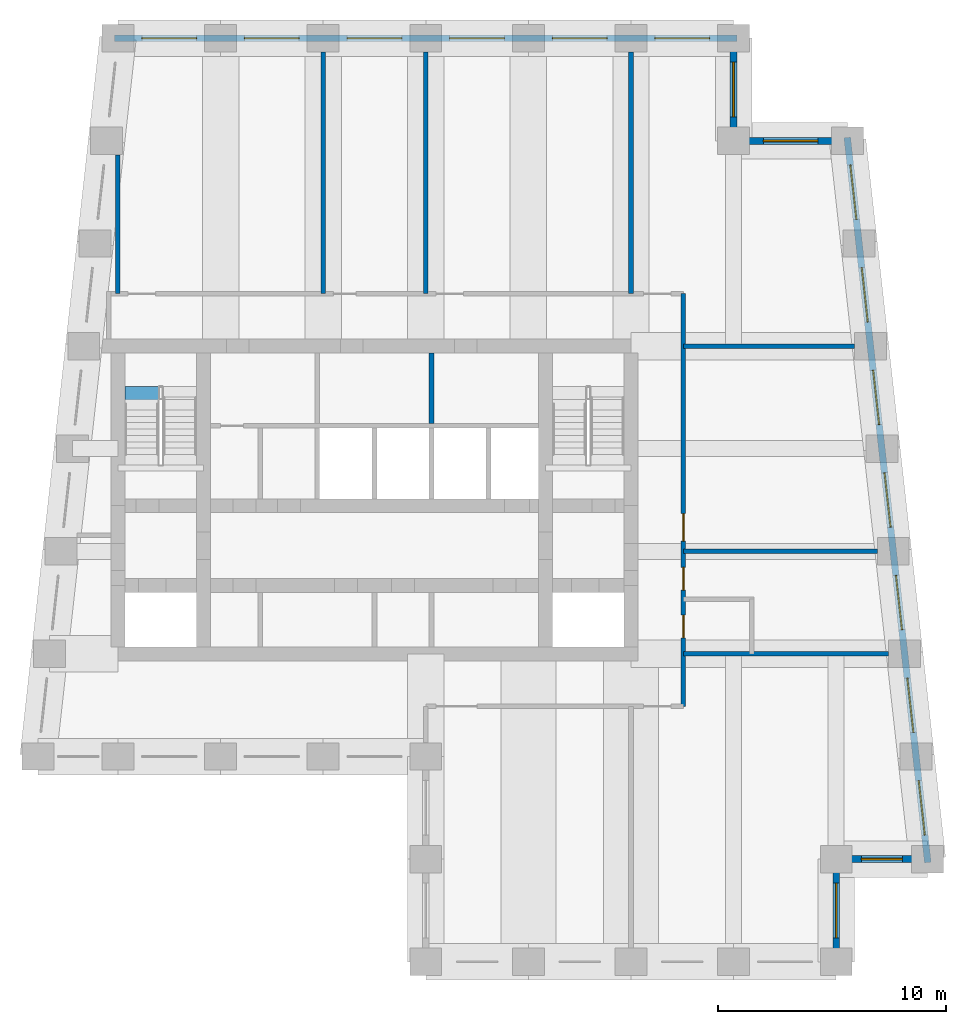
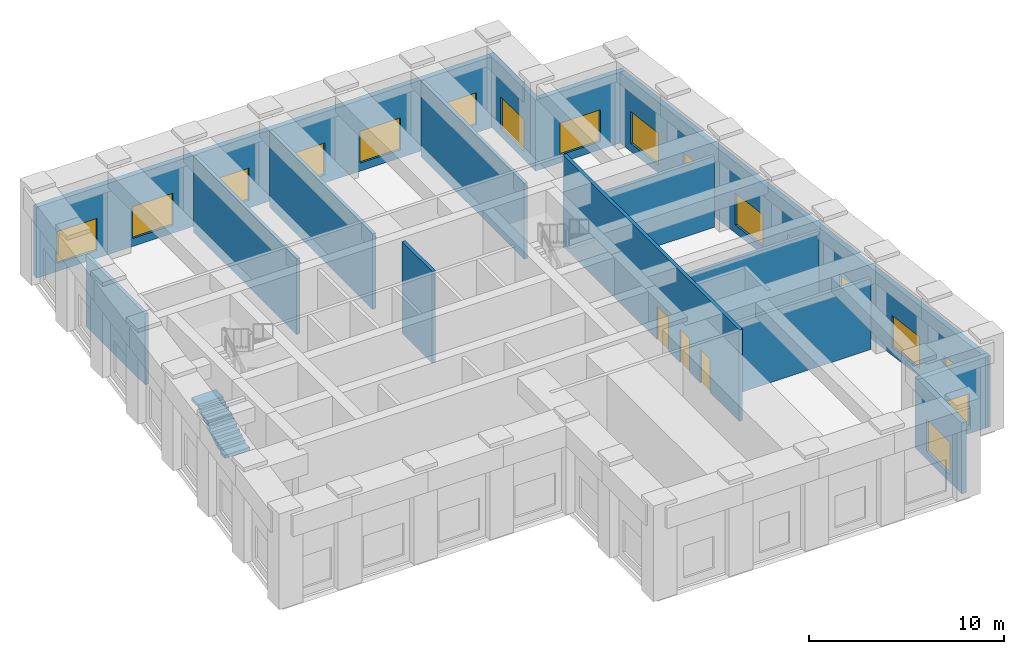
# One storey, part 4 of 7: 17 windows, 15 walls, 3 doors, 1 stair flight, 20 openings, 1 element without a shape of its own.
"""IFC4 building model written with IfcOpenShell, lengths in metres."""

from ifc_helpers import new_model, si_unit, direction, frame, frame_2d, origin, place, context, subcontext, project, spatial, polyline, rectangle, outline, extrude, material, layer, layer_set, type_object, element, fill, aggregate, save


model = new_model("IFC4")

# Units and contexts
model_context = context("Model", 3, precision=1e-05, world=origin(), true_north=direction((0.0, 1.0)))
body_context = subcontext(model_context, "Body", "Model", "MODEL_VIEW")
ifc_project = project(units=[si_unit("LENGTHUNIT", "METRE"), si_unit("AREAUNIT", "SQUARE_METRE"), si_unit("VOLUMEUNIT", "CUBIC_METRE"), si_unit("PLANEANGLEUNIT", "RADIAN"), si_unit("MASSUNIT", "GRAM", prefix="KILO")], contexts=[model_context])

# Site, building, storey
site_placement = place(None, origin())
site = spatial("IfcSite", under=ifc_project, at=site_placement, CompositionType="ELEMENT")
building_placement = place(site_placement, origin())
building = spatial("IfcBuilding", under=site, at=building_placement, Name="Kilele Tower Hotel", CompositionType="ELEMENT")
storey_placement = place(building_placement, frame((0.0, 0.0, 244.699951171875)))
storey = spatial("IfcBuildingStorey", under=building, at=storey_placement, Name="L63", CompositionType="ELEMENT", Elevation=244.699951171875)

# Wall, openings, doors
ifc_material_1 = material(Name="Blockwork, plastered both sides", Category="masonry")
ifc_layer_1 = layer(ifc_material_1, 0.199951171875)
ifc_layer_set_1 = layer_set([ifc_layer_1], Name="Blockwork, plastered both sides")
wall_type_1 = type_object("IfcWallType", Name="Corridor wall 200", PredefinedType="PARTITIONING", material=ifc_layer_set_1)
wall_1_placement = place(storey_placement, frame((38.300048828125, 11.199951171875, 0.0), z_axis=(0.0, 0.0, 1.0), x_axis=(0.0, 1.0, 0.0)))
wall_1 = element("IfcWall", 1, at=wall_1_placement, inside=storey, type_object=wall_type_1, Name="Corridor wall 200 L63", PredefinedType="PARTITIONING", context=body_context, shape_type="SweptSolid", body=[
    extrude(rectangle(XDim=18.10009765625, YDim=0.199951171875, at=frame_2d((9.050048828125, 0.0))), origin(), (0.0, 0.0, 1.0), 5.75),
])
opening_1_placement = place(wall_1_placement, frame((4.0, 0.0, 0.0), z_axis=(0.0, 0.0, 1.0), x_axis=(-1.0, 0.0, 0.0)))
opening_1 = element("IfcOpeningElement", 2, at=opening_1_placement, cuts=wall_1, Name="Opening D8", PredefinedType="OPENING", context=body_context, shape_type="SweptSolid", body=[
    extrude(rectangle(XDim=1.0, YDim=2.10009765625, at=frame_2d((0.5, 1.050048828125))), frame((0.0, 0.10986328125, 0.0), z_axis=(0.0, -1.0, 0.0), x_axis=(1.0, 0.0, 0.0)), (0.0, 0.0, 1.0), 0.219970703125),
])
opening_2_placement = place(wall_1_placement, frame((6.10009765625, 0.0, 0.0), z_axis=(0.0, 0.0, 1.0), x_axis=(-1.0, 0.0, 0.0)))
opening_2 = element("IfcOpeningElement", 3, at=opening_2_placement, cuts=wall_1, Name="Opening D8", PredefinedType="OPENING", context=body_context, shape_type="SweptSolid", body=[
    extrude(rectangle(XDim=1.0, YDim=2.10009765625, at=frame_2d((0.5, 1.050048828125))), frame((0.0, 0.10986328125, 0.0), z_axis=(0.0, -1.0, 0.0), x_axis=(1.0, 0.0, 0.0)), (0.0, 0.0, 1.0), 0.219970703125),
])
opening_3_placement = place(wall_1_placement, frame((8.449951171875, 0.0, 0.0), z_axis=(0.0, 0.0, 1.0), x_axis=(-1.0, 0.0, 0.0)))
opening_3 = element("IfcOpeningElement", 4, at=opening_3_placement, cuts=wall_1, Name="Opening D7A", PredefinedType="OPENING", context=body_context, shape_type="SweptSolid", body=[
    extrude(rectangle(XDim=1.199951171875, YDim=2.10009765625, at=frame_2d((0.60009765625, 1.050048828125))), frame((0.0, 0.10986328125, 0.0), z_axis=(0.0, -1.0, 0.0), x_axis=(1.0, 0.0, 0.0)), (0.0, 0.0, 1.0), 0.219970703125),
])
ifc_material_2 = material(Name="Timber door leaf in hardwood frame", Category="wood")
door_type_1 = type_object("IfcDoorType", Name="Door 1000", OperationType="SINGLE_SWING_LEFT", PredefinedType="DOOR", material=ifc_material_2)
door_1_placement = place(opening_1_placement, origin())
door_1 = element("IfcDoor", 5, at=door_1_placement, inside=storey, type_object=door_type_1, Name="Door Accessible WC 6302", OperationType="SINGLE_SWING_RIGHT", OverallHeight=2.10009765625, OverallWidth=1.0, PredefinedType="DOOR", context=body_context, shape_type="SweptSolid", body=[
    extrude(rectangle(XDim=1.0, YDim=2.10009765625, at=frame_2d((0.5, 1.050048828125))), frame((0.0, 0.02490234375, 0.0), z_axis=(0.0, -1.0, 0.0), x_axis=(1.0, 0.0, 0.0)), (0.0, 0.0, 1.0), 0.050048828125),
])
fill(opening_1, door_1)
door_2_placement = place(opening_2_placement, origin())
door_2 = element("IfcDoor", 6, at=door_2_placement, inside=storey, type_object=door_type_1, Name="Door Plant store 6303", OperationType="SINGLE_SWING_RIGHT", OverallHeight=2.10009765625, OverallWidth=1.0, PredefinedType="DOOR", context=body_context, shape_type="SweptSolid", body=[
    extrude(rectangle(XDim=1.0, YDim=2.10009765625, at=frame_2d((0.5, 1.050048828125))), frame((0.0, 0.02490234375, 0.0), z_axis=(0.0, -1.0, 0.0), x_axis=(1.0, 0.0, 0.0)), (0.0, 0.0, 1.0), 0.050048828125),
])
fill(opening_2, door_2)
ifc_material_3 = material(Name="Timber door leaf in hardwood frame", Category="wood")
door_type_2 = type_object("IfcDoorType", Name="Plant room door 1200", OperationType="SINGLE_SWING_LEFT", PredefinedType="DOOR", material=ifc_material_3)
door_3_placement = place(opening_3_placement, origin())
door_3 = element("IfcDoor", 7, at=door_3_placement, inside=storey, type_object=door_type_2, Name="Door Kitchen extract fan room 6304", OperationType="SINGLE_SWING_RIGHT", OverallHeight=2.10009765625, OverallWidth=1.199951171875, PredefinedType="DOOR", context=body_context, shape_type="SweptSolid", body=[
    extrude(rectangle(XDim=1.199951171875, YDim=2.10009765625, at=frame_2d((0.60009765625, 1.050048828125))), frame((0.0, 0.02490234375, 0.0), z_axis=(0.0, -1.0, 0.0), x_axis=(1.0, 0.0, 0.0)), (0.0, 0.0, 1.0), 0.050048828125),
])
fill(opening_3, door_3)

# Walls
ifc_material_4 = material(Name="Blockwork, plastered both sides", Category="masonry")
ifc_layer_2 = layer(ifc_material_4, 0.199951171875)
ifc_layer_set_2 = layer_set([ifc_layer_2], Name="Blockwork, plastered both sides")
wall_type_2 = type_object("IfcWallType", Name="Partition wall 200", PredefinedType="PARTITIONING", material=ifc_layer_set_2)
wall_2_placement = place(storey_placement, frame((38.300048828125, 13.5, 0.0), z_axis=(0.0, 0.0, 1.0), x_axis=(1.0, 0.0, 0.0)))
element("IfcWall", 8, at=wall_2_placement, inside=storey, type_object=wall_type_2, Name="Partition wall 200 L63", PredefinedType="PARTITIONING", context=body_context, shape_type="SweptSolid", body=[
    extrude(rectangle(XDim=8.9990234375, YDim=0.199951171875, at=frame_2d((4.49951171875, 0.0))), origin(), (0.0, 0.0, 1.0), 4.449951171875),
])
wall_3_placement = place(storey_placement, frame((38.300048828125, 18.0, 0.0), z_axis=(0.0, 0.0, 1.0), x_axis=(1.0, 0.0, 0.0)))
element("IfcWall", 9, at=wall_3_placement, inside=storey, type_object=wall_type_2, Name="Partition wall 200 L63", PredefinedType="PARTITIONING", context=body_context, shape_type="SweptSolid", body=[
    extrude(rectangle(XDim=8.4990234375, YDim=0.199951171875, at=frame_2d((4.24951171875, 0.0))), origin(), (0.0, 0.0, 1.0), 4.85009765625),
])
wall_4_placement = place(storey_placement, frame((38.300048828125, 27.0, 0.0), z_axis=(0.0, 0.0, 1.0), x_axis=(1.0, 0.0, 0.0)))
element("IfcWall", 10, at=wall_4_placement, inside=storey, type_object=wall_type_2, Name="Partition wall 200 L63", PredefinedType="PARTITIONING", context=body_context, shape_type="SweptSolid", body=[
    extrude(rectangle(XDim=7.4990234375, YDim=0.199951171875, at=frame_2d((3.74951171875, 0.0))), origin(), (0.0, 0.0, 1.0), 4.449951171875),
])
wall_5_placement = place(storey_placement, frame((13.5, 29.300048828125, 0.0), z_axis=(0.0, 0.0, 1.0), x_axis=(0.0, 1.0, 0.0)))
element("IfcWall", 11, at=wall_5_placement, inside=storey, type_object=wall_type_2, Name="Partition wall 200 L63", PredefinedType="PARTITIONING", context=body_context, shape_type="SweptSolid", body=[
    extrude(rectangle(XDim=6.08154296875, YDim=0.199951171875, at=frame_2d((3.040771484375, 0.0))), origin(), (0.0, 0.0, 1.0), 4.449951171875),
])
for number, where, z_axis, x_axis, name in (
    (12, (22.5, 29.300048828125, 0.0), (0.0, 0.0, 1.0), (0.0, 1.0, 0.0), "Partition wall 200 L63"),
    (13, (27.0, 29.300048828125, 0.0), (0.0, 0.0, 1.0), (0.0, 1.0, 0.0), "Partition wall 200 L63"),
    (14, (36.0, 29.300048828125, 0.0), (0.0, 0.0, 1.0), (0.0, 1.0, 0.0), "Partition wall 200 L63"),
):
    element("IfcWall", number, at=place(storey_placement, frame(where, z_axis=z_axis, x_axis=x_axis)), inside=storey, type_object=wall_type_2, Name=name, PredefinedType="PARTITIONING", context=body_context, shape_type="SweptSolid", body=[
        extrude(rectangle(XDim=10.58984375, YDim=0.199951171875, at=frame_2d((5.294921875, 0.0))), origin(), (0.0, 0.0, 1.0), 4.75),
    ])

# Wall, opening, window
ifc_material_5 = material(Name="Concrete C40/50 precast", Category="concrete")
ifc_layer_3 = layer(ifc_material_5, 0.260009765625, Name="Precast backing", Category="LoadBearing")
ifc_material_6 = material(Name="Reconstituted stone finish", Category="masonry")
ifc_layer_4 = layer(ifc_material_6, 0.0400390625, Name="Face mix", Category="Finish")
ifc_layer_set_3 = layer_set([ifc_layer_3, ifc_layer_4], Name="Precast concrete C40/50, reconstituted stone finish")
wall_type_3 = type_object("IfcWallType", Name="Precast stone facade wall 300", PredefinedType="STANDARD", material=ifc_layer_set_3)
wall_6_placement = place(storey_placement, frame((45.0, -0.14990234375, 0.0), z_axis=(0.0, 0.0, 1.0), x_axis=(0.0, 1.0, 0.0)))
wall_6 = element("IfcWall", 15, at=wall_6_placement, inside=storey, type_object=wall_type_3, Name="Facade wall L63 edge 4", PredefinedType="STANDARD", context=body_context, shape_type="SweptSolid", body=[
    extrude(rectangle(XDim=4.7998046875, YDim=0.300048828125, at=frame_2d((2.39990234375, 0.0))), origin(), (0.0, 0.0, 1.0), 4.449951171875),
])
opening_4_placement = place(wall_6_placement, frame((1.199951171875, 0.0, 0.5)))
opening_4 = element("IfcOpeningElement", 16, at=opening_4_placement, cuts=wall_6, Name="Opening LV1", PredefinedType="OPENING", context=body_context, shape_type="SweptSolid", body=[
    extrude(rectangle(XDim=2.39990234375, YDim=2.0, at=frame_2d((1.199951171875, 1.0))), frame((0.0, 0.159912109375, 0.0), z_axis=(0.0, -1.0, 0.0), x_axis=(1.0, 0.0, 0.0)), (0.0, 0.0, 1.0), 0.320068359375),
])
ifc_material_7 = material(Name="Aluminium weather louvre with insect mesh", Category="aluminium")
window_type_1 = type_object("IfcWindowType", Name="Ventilation louvre 2400 x 2000", PartitioningType="SINGLE_PANEL", PredefinedType="USERDEFINED", material=ifc_material_7)
window_1_placement = place(opening_4_placement, origin())
window_1 = element("IfcWindow", 17, at=window_1_placement, inside=storey, type_object=window_type_1, Name="Louvre L63", ObjectType="LOUVRE", OverallHeight=2.0, OverallWidth=2.39990234375, PartitioningType="SINGLE_PANEL", PredefinedType="USERDEFINED", context=body_context, shape_type="SweptSolid", body=[
    extrude(rectangle(XDim=2.39990234375, YDim=2.0, at=frame_2d((1.199951171875, 1.0))), frame((0.0, 0.030029296875, 0.0), z_axis=(0.0, -1.0, 0.0), x_axis=(1.0, 0.0, 0.0)), (0.0, 0.0, 1.0), 0.06005859375),
])
fill(opening_4, window_1)

wall_7_placement = place(storey_placement, frame((44.85009765625, 4.5, 0.0), z_axis=(0.0, 0.0, 1.0), x_axis=(1.0, 0.0, 0.0)))
wall_7 = element("IfcWall", 18, at=wall_7_placement, inside=storey, type_object=wall_type_3, Name="Facade wall L63 edge 5", PredefinedType="STANDARD", context=body_context, shape_type="SweptSolid", body=[
    extrude(rectangle(XDim=4.2998046875, YDim=0.300048828125, at=frame_2d((2.14990234375, 0.0))), origin(), (0.0, 0.0, 1.0), 4.449951171875),
])
opening_5_placement = place(wall_7_placement, frame((1.25, 0.0, 0.5)))
opening_5 = element("IfcOpeningElement", 19, at=opening_5_placement, cuts=wall_7, Name="Opening LV1", PredefinedType="OPENING", context=body_context, shape_type="SweptSolid", body=[
    extrude(rectangle(XDim=1.800048828125, YDim=2.0, at=frame_2d((0.89990234375, 1.0))), frame((0.0, 0.159912109375, 0.0), z_axis=(0.0, -1.0, 0.0), x_axis=(1.0, 0.0, 0.0)), (0.0, 0.0, 1.0), 0.320068359375),
])
ifc_material_8 = material(Name="Aluminium weather louvre with insect mesh", Category="aluminium")
window_type_2 = type_object("IfcWindowType", Name="Ventilation louvre 1800 x 2000", PartitioningType="SINGLE_PANEL", PredefinedType="USERDEFINED", material=ifc_material_8)
window_2_placement = place(opening_5_placement, origin())
window_2 = element("IfcWindow", 20, at=window_2_placement, inside=storey, type_object=window_type_2, Name="Louvre L63", ObjectType="LOUVRE", OverallHeight=2.0, OverallWidth=1.800048828125, PartitioningType="SINGLE_PANEL", PredefinedType="USERDEFINED", context=body_context, shape_type="SweptSolid", body=[
    extrude(rectangle(XDim=1.800048828125, YDim=2.0, at=frame_2d((0.89990234375, 1.0))), frame((0.0, 0.030029296875, 0.0), z_axis=(0.0, -1.0, 0.0), x_axis=(1.0, 0.0, 0.0)), (0.0, 0.0, 1.0), 0.06005859375),
])
fill(opening_5, window_2)

# Wall, openings, windows
wall_8_placement = place(storey_placement, frame((49.0166015625, 4.350830078125, 0.0), z_axis=(0.0, 0.0, 1.0), x_axis=(-0.110433201132, 0.993883548555, 0.0)))
wall_8 = element("IfcWall", 21, at=wall_8_placement, inside=storey, type_object=wall_type_3, Name="Facade wall L63 edge 6", PredefinedType="STANDARD", context=body_context, shape_type="SweptSolid", body=[
    extrude(rectangle(XDim=31.994140625, YDim=0.300048828125, at=frame_2d((15.9970703125, 0.0))), origin(), (0.0, 0.0, 1.0), 4.449951171875),
])
opening_6_placement = place(wall_8_placement, frame((1.214111328125, 0.0, 0.5)))
opening_6 = element("IfcOpeningElement", 22, at=opening_6_placement, cuts=wall_8, Name="Opening LV1", PredefinedType="OPENING", context=body_context, shape_type="SweptSolid", body=[
    extrude(rectangle(XDim=2.39990234375, YDim=2.0, at=frame_2d((1.199951171875, 1.0))), frame((0.0, 0.159912109375, 0.0), z_axis=(0.0, -1.0, 0.0), x_axis=(1.0, 0.0, 0.0)), (0.0, 0.0, 1.0), 0.320068359375),
])
opening_7_placement = place(wall_8_placement, frame((5.741943359375, 0.0, 0.5)))
opening_7 = element("IfcOpeningElement", 23, at=opening_7_placement, cuts=wall_8, Name="Opening LV1", PredefinedType="OPENING", context=body_context, shape_type="SweptSolid", body=[
    extrude(rectangle(XDim=2.39990234375, YDim=2.0, at=frame_2d((1.199951171875, 1.0))), frame((0.0, 0.159912109375, 0.0), z_axis=(0.0, -1.0, 0.0), x_axis=(1.0, 0.0, 0.0)), (0.0, 0.0, 1.0), 0.320068359375),
])
opening_8_placement = place(wall_8_placement, frame((10.26904296875, 0.0, 0.5)))
opening_8 = element("IfcOpeningElement", 24, at=opening_8_placement, cuts=wall_8, Name="Opening LV1", PredefinedType="OPENING", context=body_context, shape_type="SweptSolid", body=[
    extrude(rectangle(XDim=2.39990234375, YDim=2.0, at=frame_2d((1.199951171875, 1.0))), frame((0.0, 0.159912109375, 0.0), z_axis=(0.0, -1.0, 0.0), x_axis=(1.0, 0.0, 0.0)), (0.0, 0.0, 1.0), 0.320068359375),
])
opening_9_placement = place(wall_8_placement, frame((14.797119140625, 0.0, 0.5)))
opening_9 = element("IfcOpeningElement", 25, at=opening_9_placement, cuts=wall_8, Name="Opening LV1", PredefinedType="OPENING", context=body_context, shape_type="SweptSolid", body=[
    extrude(rectangle(XDim=2.39990234375, YDim=2.0, at=frame_2d((1.199951171875, 1.0))), frame((0.0, 0.159912109375, 0.0), z_axis=(0.0, -1.0, 0.0), x_axis=(1.0, 0.0, 0.0)), (0.0, 0.0, 1.0), 0.320068359375),
])
opening_10_placement = place(wall_8_placement, frame((19.324951171875, 0.0, 0.5)))
opening_10 = element("IfcOpeningElement", 26, at=opening_10_placement, cuts=wall_8, Name="Opening LV1", PredefinedType="OPENING", context=body_context, shape_type="SweptSolid", body=[
    extrude(rectangle(XDim=2.39990234375, YDim=2.0, at=frame_2d((1.199951171875, 1.0))), frame((0.0, 0.159912109375, 0.0), z_axis=(0.0, -1.0, 0.0), x_axis=(1.0, 0.0, 0.0)), (0.0, 0.0, 1.0), 0.320068359375),
])
opening_11_placement = place(wall_8_placement, frame((23.85205078125, 0.0, 0.5)))
opening_11 = element("IfcOpeningElement", 27, at=opening_11_placement, cuts=wall_8, Name="Opening LV1", PredefinedType="OPENING", context=body_context, shape_type="SweptSolid", body=[
    extrude(rectangle(XDim=2.39990234375, YDim=2.0, at=frame_2d((1.199951171875, 1.0))), frame((0.0, 0.159912109375, 0.0), z_axis=(0.0, -1.0, 0.0), x_axis=(1.0, 0.0, 0.0)), (0.0, 0.0, 1.0), 0.320068359375),
])
opening_12_placement = place(wall_8_placement, frame((28.3798828125, 0.0, 0.5)))
opening_12 = element("IfcOpeningElement", 28, at=opening_12_placement, cuts=wall_8, Name="Opening LV1", PredefinedType="OPENING", context=body_context, shape_type="SweptSolid", body=[
    extrude(rectangle(XDim=2.39990234375, YDim=2.0, at=frame_2d((1.199951171875, 1.0))), frame((0.0, 0.159912109375, 0.0), z_axis=(0.0, -1.0, 0.0), x_axis=(1.0, 0.0, 0.0)), (0.0, 0.0, 1.0), 0.320068359375),
])
window_3_placement = place(opening_6_placement, origin())
window_3 = element("IfcWindow", 29, at=window_3_placement, inside=storey, type_object=window_type_1, Name="Louvre L63", ObjectType="LOUVRE", OverallHeight=2.0, OverallWidth=2.39990234375, PartitioningType="SINGLE_PANEL", PredefinedType="USERDEFINED", context=body_context, shape_type="SweptSolid", body=[
    extrude(rectangle(XDim=2.39990234375, YDim=2.0, at=frame_2d((1.199951171875, 1.0))), frame((0.0, 0.030029296875, 0.0), z_axis=(0.0, -1.0, 0.0), x_axis=(1.0, 0.0, 0.0)), (0.0, 0.0, 1.0), 0.06005859375),
])
fill(opening_6, window_3)
window_4_placement = place(opening_7_placement, origin())
window_4 = element("IfcWindow", 30, at=window_4_placement, inside=storey, type_object=window_type_1, Name="Louvre L63", ObjectType="LOUVRE", OverallHeight=2.0, OverallWidth=2.39990234375, PartitioningType="SINGLE_PANEL", PredefinedType="USERDEFINED", context=body_context, shape_type="SweptSolid", body=[
    extrude(rectangle(XDim=2.39990234375, YDim=2.0, at=frame_2d((1.199951171875, 1.0))), frame((0.0, 0.030029296875, 0.0), z_axis=(0.0, -1.0, 0.0), x_axis=(1.0, 0.0, 0.0)), (0.0, 0.0, 1.0), 0.06005859375),
])
fill(opening_7, window_4)
window_5_placement = place(opening_8_placement, origin())
window_5 = element("IfcWindow", 31, at=window_5_placement, inside=storey, type_object=window_type_1, Name="Louvre L63", ObjectType="LOUVRE", OverallHeight=2.0, OverallWidth=2.39990234375, PartitioningType="SINGLE_PANEL", PredefinedType="USERDEFINED", context=body_context, shape_type="SweptSolid", body=[
    extrude(rectangle(XDim=2.39990234375, YDim=2.0, at=frame_2d((1.199951171875, 1.0))), frame((0.0, 0.030029296875, 0.0), z_axis=(0.0, -1.0, 0.0), x_axis=(1.0, 0.0, 0.0)), (0.0, 0.0, 1.0), 0.06005859375),
])
fill(opening_8, window_5)
window_6_placement = place(opening_9_placement, origin())
window_6 = element("IfcWindow", 32, at=window_6_placement, inside=storey, type_object=window_type_1, Name="Louvre L63", ObjectType="LOUVRE", OverallHeight=2.0, OverallWidth=2.39990234375, PartitioningType="SINGLE_PANEL", PredefinedType="USERDEFINED", context=body_context, shape_type="SweptSolid", body=[
    extrude(rectangle(XDim=2.39990234375, YDim=2.0, at=frame_2d((1.199951171875, 1.0))), frame((0.0, 0.030029296875, 0.0), z_axis=(0.0, -1.0, 0.0), x_axis=(1.0, 0.0, 0.0)), (0.0, 0.0, 1.0), 0.06005859375),
])
fill(opening_9, window_6)
window_7_placement = place(opening_10_placement, origin())
window_7 = element("IfcWindow", 33, at=window_7_placement, inside=storey, type_object=window_type_1, Name="Louvre L63", ObjectType="LOUVRE", OverallHeight=2.0, OverallWidth=2.39990234375, PartitioningType="SINGLE_PANEL", PredefinedType="USERDEFINED", context=body_context, shape_type="SweptSolid", body=[
    extrude(rectangle(XDim=2.39990234375, YDim=2.0, at=frame_2d((1.199951171875, 1.0))), frame((0.0, 0.030029296875, 0.0), z_axis=(0.0, -1.0, 0.0), x_axis=(1.0, 0.0, 0.0)), (0.0, 0.0, 1.0), 0.06005859375),
])
fill(opening_10, window_7)
window_8_placement = place(opening_11_placement, origin())
window_8 = element("IfcWindow", 34, at=window_8_placement, inside=storey, type_object=window_type_1, Name="Louvre L63", ObjectType="LOUVRE", OverallHeight=2.0, OverallWidth=2.39990234375, PartitioningType="SINGLE_PANEL", PredefinedType="USERDEFINED", context=body_context, shape_type="SweptSolid", body=[
    extrude(rectangle(XDim=2.39990234375, YDim=2.0, at=frame_2d((1.199951171875, 1.0))), frame((0.0, 0.030029296875, 0.0), z_axis=(0.0, -1.0, 0.0), x_axis=(1.0, 0.0, 0.0)), (0.0, 0.0, 1.0), 0.06005859375),
])
fill(opening_11, window_8)
window_9_placement = place(opening_12_placement, origin())
window_9 = element("IfcWindow", 35, at=window_9_placement, inside=storey, type_object=window_type_1, Name="Louvre L63", ObjectType="LOUVRE", OverallHeight=2.0, OverallWidth=2.39990234375, PartitioningType="SINGLE_PANEL", PredefinedType="USERDEFINED", context=body_context, shape_type="SweptSolid", body=[
    extrude(rectangle(XDim=2.39990234375, YDim=2.0, at=frame_2d((1.199951171875, 1.0))), frame((0.0, 0.030029296875, 0.0), z_axis=(0.0, -1.0, 0.0), x_axis=(1.0, 0.0, 0.0)), (0.0, 0.0, 1.0), 0.06005859375),
])
fill(opening_12, window_9)

# Wall, opening, window
wall_9_placement = place(storey_placement, frame((45.64990234375, 36.0, 0.0), z_axis=(0.0, 0.0, 1.0), x_axis=(-1.0, 0.0, 0.0)))
wall_9 = element("IfcWall", 36, at=wall_9_placement, inside=storey, type_object=wall_type_3, Name="Facade wall L63 edge 7", PredefinedType="STANDARD", context=body_context, shape_type="SweptSolid", body=[
    extrude(rectangle(XDim=5.2998046875, YDim=0.300048828125, at=frame_2d((2.64990234375, 0.0))), origin(), (0.0, 0.0, 1.0), 4.449951171875),
])
opening_13_placement = place(wall_9_placement, frame((1.449951171875, 0.0, 0.5)))
opening_13 = element("IfcOpeningElement", 37, at=opening_13_placement, cuts=wall_9, Name="Opening LV1", PredefinedType="OPENING", context=body_context, shape_type="SweptSolid", body=[
    extrude(rectangle(XDim=2.39990234375, YDim=2.0, at=frame_2d((1.199951171875, 1.0))), frame((0.0, 0.159912109375, 0.0), z_axis=(0.0, -1.0, 0.0), x_axis=(1.0, 0.0, 0.0)), (0.0, 0.0, 1.0), 0.320068359375),
])
window_10_placement = place(opening_13_placement, origin())
window_10 = element("IfcWindow", 38, at=window_10_placement, inside=storey, type_object=window_type_1, Name="Louvre L63", ObjectType="LOUVRE", OverallHeight=2.0, OverallWidth=2.39990234375, PartitioningType="SINGLE_PANEL", PredefinedType="USERDEFINED", context=body_context, shape_type="SweptSolid", body=[
    extrude(rectangle(XDim=2.39990234375, YDim=2.0, at=frame_2d((1.199951171875, 1.0))), frame((0.0, 0.030029296875, 0.0), z_axis=(0.0, -1.0, 0.0), x_axis=(1.0, 0.0, 0.0)), (0.0, 0.0, 1.0), 0.06005859375),
])
fill(opening_13, window_10)

wall_10_placement = place(storey_placement, frame((40.5, 35.85009765625, 0.0), z_axis=(0.0, 0.0, 1.0), x_axis=(0.0, 1.0, 0.0)))
wall_10 = element("IfcWall", 39, at=wall_10_placement, inside=storey, type_object=wall_type_3, Name="Facade wall L63 edge 8", PredefinedType="STANDARD", context=body_context, shape_type="SweptSolid", body=[
    extrude(rectangle(XDim=4.7998046875, YDim=0.300048828125, at=frame_2d((2.39990234375, 0.0))), origin(), (0.0, 0.0, 1.0), 4.449951171875),
])
opening_14_placement = place(wall_10_placement, frame((1.199951171875, 0.0, 0.5)))
opening_14 = element("IfcOpeningElement", 40, at=opening_14_placement, cuts=wall_10, Name="Opening LV1", PredefinedType="OPENING", context=body_context, shape_type="SweptSolid", body=[
    extrude(rectangle(XDim=2.39990234375, YDim=2.0, at=frame_2d((1.199951171875, 1.0))), frame((0.0, 0.159912109375, 0.0), z_axis=(0.0, -1.0, 0.0), x_axis=(1.0, 0.0, 0.0)), (0.0, 0.0, 1.0), 0.320068359375),
])
window_11_placement = place(opening_14_placement, origin())
window_11 = element("IfcWindow", 41, at=window_11_placement, inside=storey, type_object=window_type_1, Name="Louvre L63", ObjectType="LOUVRE", OverallHeight=2.0, OverallWidth=2.39990234375, PartitioningType="SINGLE_PANEL", PredefinedType="USERDEFINED", context=body_context, shape_type="SweptSolid", body=[
    extrude(rectangle(XDim=2.39990234375, YDim=2.0, at=frame_2d((1.199951171875, 1.0))), frame((0.0, 0.030029296875, 0.0), z_axis=(0.0, -1.0, 0.0), x_axis=(1.0, 0.0, 0.0)), (0.0, 0.0, 1.0), 0.06005859375),
])
fill(opening_14, window_11)

# Wall, openings, windows
wall_11_placement = place(storey_placement, frame((40.64990234375, 40.5, 0.0), z_axis=(0.0, 0.0, 1.0), x_axis=(-1.0, 0.0, 0.0)))
wall_11 = element("IfcWall", 42, at=wall_11_placement, inside=storey, type_object=wall_type_3, Name="Facade wall L63 edge 9", PredefinedType="STANDARD", context=body_context, shape_type="SweptSolid", body=[
    extrude(rectangle(XDim=27.2998046875, YDim=0.300048828125, at=frame_2d((13.64990234375, 0.0))), origin(), (0.0, 0.0, 1.0), 4.449951171875),
])
opening_15_placement = place(wall_11_placement, frame((1.199951171875, 0.0, 0.5)))
opening_15 = element("IfcOpeningElement", 43, at=opening_15_placement, cuts=wall_11, Name="Opening LV1", PredefinedType="OPENING", context=body_context, shape_type="SweptSolid", body=[
    extrude(rectangle(XDim=2.39990234375, YDim=2.0, at=frame_2d((1.199951171875, 1.0))), frame((0.0, 0.159912109375, 0.0), z_axis=(0.0, -1.0, 0.0), x_axis=(1.0, 0.0, 0.0)), (0.0, 0.0, 1.0), 0.320068359375),
])
opening_16_placement = place(wall_11_placement, frame((5.699951171875, 0.0, 0.5)))
opening_16 = element("IfcOpeningElement", 44, at=opening_16_placement, cuts=wall_11, Name="Opening LV1", PredefinedType="OPENING", context=body_context, shape_type="SweptSolid", body=[
    extrude(rectangle(XDim=2.39990234375, YDim=2.0, at=frame_2d((1.199951171875, 1.0))), frame((0.0, 0.159912109375, 0.0), z_axis=(0.0, -1.0, 0.0), x_axis=(1.0, 0.0, 0.0)), (0.0, 0.0, 1.0), 0.320068359375),
])
opening_17_placement = place(wall_11_placement, frame((10.199951171875, 0.0, 0.5)))
opening_17 = element("IfcOpeningElement", 45, at=opening_17_placement, cuts=wall_11, Name="Opening LV1", PredefinedType="OPENING", context=body_context, shape_type="SweptSolid", body=[
    extrude(rectangle(XDim=2.39990234375, YDim=2.0, at=frame_2d((1.199951171875, 1.0))), frame((0.0, 0.159912109375, 0.0), z_axis=(0.0, -1.0, 0.0), x_axis=(1.0, 0.0, 0.0)), (0.0, 0.0, 1.0), 0.320068359375),
])
opening_18_placement = place(wall_11_placement, frame((14.699951171875, 0.0, 0.5)))
opening_18 = element("IfcOpeningElement", 46, at=opening_18_placement, cuts=wall_11, Name="Opening LV1", PredefinedType="OPENING", context=body_context, shape_type="SweptSolid", body=[
    extrude(rectangle(XDim=2.39990234375, YDim=2.0, at=frame_2d((1.199951171875, 1.0))), frame((0.0, 0.159912109375, 0.0), z_axis=(0.0, -1.0, 0.0), x_axis=(1.0, 0.0, 0.0)), (0.0, 0.0, 1.0), 0.320068359375),
])
opening_19_placement = place(wall_11_placement, frame((19.199951171875, 0.0, 0.5)))
opening_19 = element("IfcOpeningElement", 47, at=opening_19_placement, cuts=wall_11, Name="Opening LV1", PredefinedType="OPENING", context=body_context, shape_type="SweptSolid", body=[
    extrude(rectangle(XDim=2.39990234375, YDim=2.0, at=frame_2d((1.199951171875, 1.0))), frame((0.0, 0.159912109375, 0.0), z_axis=(0.0, -1.0, 0.0), x_axis=(1.0, 0.0, 0.0)), (0.0, 0.0, 1.0), 0.320068359375),
])
opening_20_placement = place(wall_11_placement, frame((23.699951171875, 0.0, 0.5)))
opening_20 = element("IfcOpeningElement", 48, at=opening_20_placement, cuts=wall_11, Name="Opening LV1", PredefinedType="OPENING", context=body_context, shape_type="SweptSolid", body=[
    extrude(rectangle(XDim=2.39990234375, YDim=2.0, at=frame_2d((1.199951171875, 1.0))), frame((0.0, 0.159912109375, 0.0), z_axis=(0.0, -1.0, 0.0), x_axis=(1.0, 0.0, 0.0)), (0.0, 0.0, 1.0), 0.320068359375),
])
window_12_placement = place(opening_15_placement, origin())
window_12 = element("IfcWindow", 49, at=window_12_placement, inside=storey, type_object=window_type_1, Name="Louvre L63", ObjectType="LOUVRE", OverallHeight=2.0, OverallWidth=2.39990234375, PartitioningType="SINGLE_PANEL", PredefinedType="USERDEFINED", context=body_context, shape_type="SweptSolid", body=[
    extrude(rectangle(XDim=2.39990234375, YDim=2.0, at=frame_2d((1.199951171875, 1.0))), frame((0.0, 0.030029296875, 0.0), z_axis=(0.0, -1.0, 0.0), x_axis=(1.0, 0.0, 0.0)), (0.0, 0.0, 1.0), 0.06005859375),
])
fill(opening_15, window_12)
window_13_placement = place(opening_16_placement, origin())
window_13 = element("IfcWindow", 50, at=window_13_placement, inside=storey, type_object=window_type_1, Name="Louvre L63", ObjectType="LOUVRE", OverallHeight=2.0, OverallWidth=2.39990234375, PartitioningType="SINGLE_PANEL", PredefinedType="USERDEFINED", context=body_context, shape_type="SweptSolid", body=[
    extrude(rectangle(XDim=2.39990234375, YDim=2.0, at=frame_2d((1.199951171875, 1.0))), frame((0.0, 0.030029296875, 0.0), z_axis=(0.0, -1.0, 0.0), x_axis=(1.0, 0.0, 0.0)), (0.0, 0.0, 1.0), 0.06005859375),
])
fill(opening_16, window_13)
window_14_placement = place(opening_17_placement, origin())
window_14 = element("IfcWindow", 51, at=window_14_placement, inside=storey, type_object=window_type_1, Name="Louvre L63", ObjectType="LOUVRE", OverallHeight=2.0, OverallWidth=2.39990234375, PartitioningType="SINGLE_PANEL", PredefinedType="USERDEFINED", context=body_context, shape_type="SweptSolid", body=[
    extrude(rectangle(XDim=2.39990234375, YDim=2.0, at=frame_2d((1.199951171875, 1.0))), frame((0.0, 0.030029296875, 0.0), z_axis=(0.0, -1.0, 0.0), x_axis=(1.0, 0.0, 0.0)), (0.0, 0.0, 1.0), 0.06005859375),
])
fill(opening_17, window_14)
window_15_placement = place(opening_18_placement, origin())
window_15 = element("IfcWindow", 52, at=window_15_placement, inside=storey, type_object=window_type_1, Name="Louvre L63", ObjectType="LOUVRE", OverallHeight=2.0, OverallWidth=2.39990234375, PartitioningType="SINGLE_PANEL", PredefinedType="USERDEFINED", context=body_context, shape_type="SweptSolid", body=[
    extrude(rectangle(XDim=2.39990234375, YDim=2.0, at=frame_2d((1.199951171875, 1.0))), frame((0.0, 0.030029296875, 0.0), z_axis=(0.0, -1.0, 0.0), x_axis=(1.0, 0.0, 0.0)), (0.0, 0.0, 1.0), 0.06005859375),
])
fill(opening_18, window_15)
window_16_placement = place(opening_19_placement, origin())
window_16 = element("IfcWindow", 53, at=window_16_placement, inside=storey, type_object=window_type_1, Name="Louvre L63", ObjectType="LOUVRE", OverallHeight=2.0, OverallWidth=2.39990234375, PartitioningType="SINGLE_PANEL", PredefinedType="USERDEFINED", context=body_context, shape_type="SweptSolid", body=[
    extrude(rectangle(XDim=2.39990234375, YDim=2.0, at=frame_2d((1.199951171875, 1.0))), frame((0.0, 0.030029296875, 0.0), z_axis=(0.0, -1.0, 0.0), x_axis=(1.0, 0.0, 0.0)), (0.0, 0.0, 1.0), 0.06005859375),
])
fill(opening_19, window_16)
window_17_placement = place(opening_20_placement, origin())
window_17 = element("IfcWindow", 54, at=window_17_placement, inside=storey, type_object=window_type_1, Name="Louvre L63", ObjectType="LOUVRE", OverallHeight=2.0, OverallWidth=2.39990234375, PartitioningType="SINGLE_PANEL", PredefinedType="USERDEFINED", context=body_context, shape_type="SweptSolid", body=[
    extrude(rectangle(XDim=2.39990234375, YDim=2.0, at=frame_2d((1.199951171875, 1.0))), frame((0.0, 0.030029296875, 0.0), z_axis=(0.0, -1.0, 0.0), x_axis=(1.0, 0.0, 0.0)), (0.0, 0.0, 1.0), 0.06005859375),
])
fill(opening_20, window_17)

# Wall
ifc_material_9 = material(Name="Blockwork, fire-rated", Category="masonry")
ifc_layer_5 = layer(ifc_material_9, 0.199951171875)
ifc_layer_set_4 = layer_set([ifc_layer_5], Name="Blockwork, fire-rated")
wall_type_4 = type_object("IfcWallType", Name="Shaft wall 200", PredefinedType="PARTITIONING", material=ifc_layer_set_4)
wall_12_placement = place(storey_placement, frame((27.25, 23.60009765625, 0.0), z_axis=(0.0, 0.0, 1.0), x_axis=(0.0, 1.0, 0.0)))
element("IfcWall", 55, at=wall_12_placement, inside=storey, type_object=wall_type_4, Name="Shaft wall 200 L63", PredefinedType="PARTITIONING", context=body_context, shape_type="SweptSolid", body=[
    extrude(rectangle(XDim=3.099853515625, YDim=0.199951171875, at=frame_2d((1.5498046875, 0.0))), origin(), (0.0, 0.0, 1.0), 5.75),
])

# Stair, stair flight
ifc_material_10 = material(Name="Precast concrete C40/50", Category="concrete")
stair_type = type_object("IfcStairType", Name="Stair 1475 x 6000", PredefinedType="HALF_TURN_STAIR", material=ifc_material_10)
stair_placement = place(storey_placement, origin())
stair = element("IfcStair", 56, at=stair_placement, inside=storey, type_object=stair_type, Name="Stair 1 L63", PredefinedType="HALF_TURN_STAIR")
ifc_material_11 = material(Name="Precast concrete C40/50", Category="concrete")
stair_flight_type = type_object("IfcStairFlightType", Name="Flight 1475 riser 171.4", PredefinedType="STRAIGHT", material=ifc_material_11)
stair_flight_placement = place(storey_placement, frame((14.53759765625, 22.239990234375, 0.0), z_axis=(0.0, 0.0, 1.0), x_axis=(0.0, 1.0, 0.0)))
stair_flight = element("IfcStairFlight", 57, at=stair_flight_placement, type_object=stair_flight_type, Name="ST1 flight 1", NumberOfRisers=9, NumberOfTreads=8, PredefinedType="STRAIGHT", RiserHeight=0.171428571, TreadLength=0.28, context=body_context, shape_type="SweptSolid", body=[
    extrude(outline(polyline([(0.0, 0.0), (0.0, 0.17138671875), (0.280029296875, 0.17138671875), (0.280029296875, 0.3427734375), (0.56005859375, 0.3427734375), (0.56005859375, 0.514404296875), (0.840087890625, 0.514404296875), (0.840087890625, 0.685791015625), (1.1201171875, 0.685791015625), (1.1201171875, 0.857177734375), (1.39990234375, 0.857177734375), (1.39990234375, 1.028564453125), (1.679931640625, 1.028564453125), (1.679931640625, 1.199951171875), (1.9599609375, 1.199951171875), (1.9599609375, 1.371337890625), (2.239990234375, 1.371337890625), (2.239990234375, 1.54296875), (2.239990234375, 1.195556640625), (0.287109375, 0.0), (0.0, 0.0)])), frame((0.0, 0.737548828125, 0.0), z_axis=(0.0, -1.0, 0.0), x_axis=(1.0, 0.0, 0.0)), (0.0, 0.0, 1.0), 1.47509765625),
    extrude(outline(polyline([(-0.465087890625, 0.737548828125), (-0.465087890625, -0.7373046875), (0.0, -0.7373046875), (0.0, 0.737548828125), (-0.465087890625, 0.737548828125)])), frame((0.0, 0.0, -0.199951171875)), (0.0, 0.0, 1.0), 0.199951171875),
    extrude(outline(polyline([(2.239990234375, 0.737548828125), (2.239990234375, -0.7373046875), (2.985107421875, -0.7373046875), (2.985107421875, 0.737548828125), (2.239990234375, 0.737548828125)])), frame((0.0, 0.0, 1.343017578125)), (0.0, 0.0, 1.0), 0.199951171875),
])
aggregate(stair, [stair_flight])

save(model, "model.ifc")
